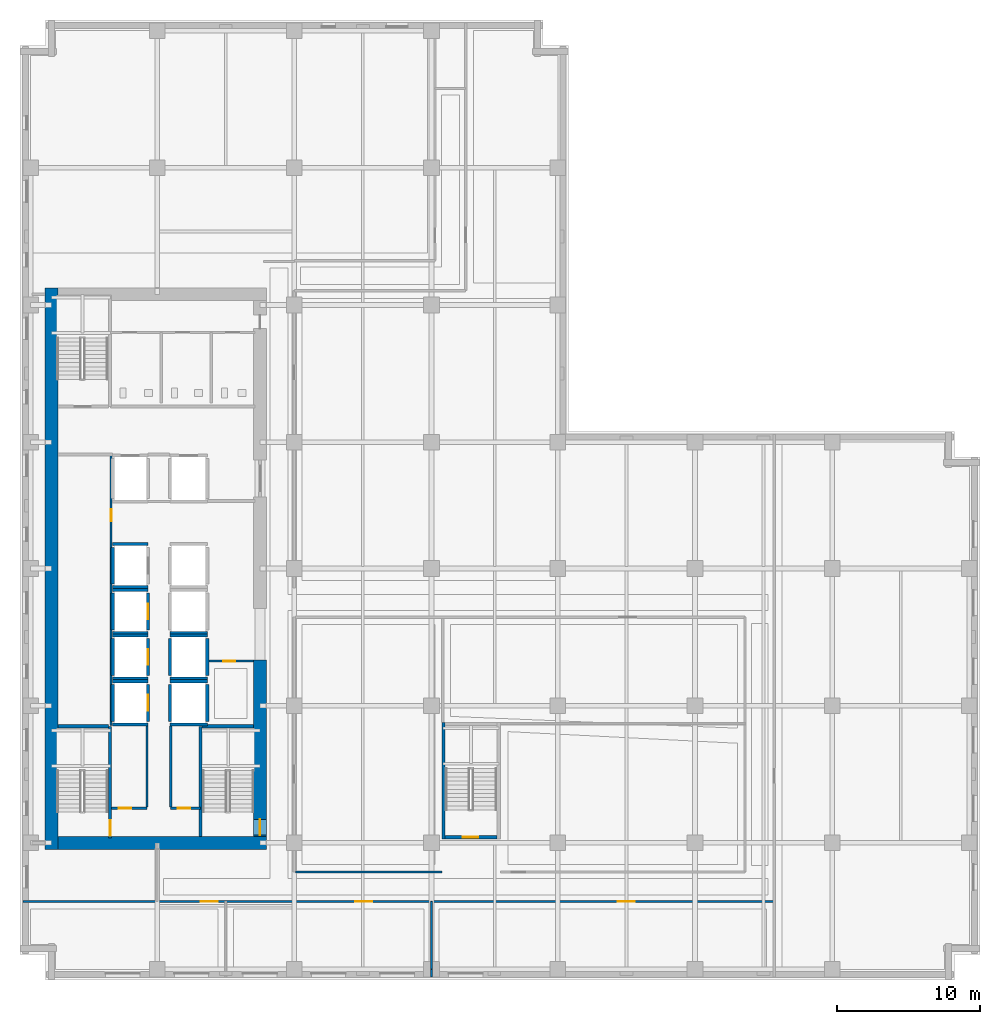
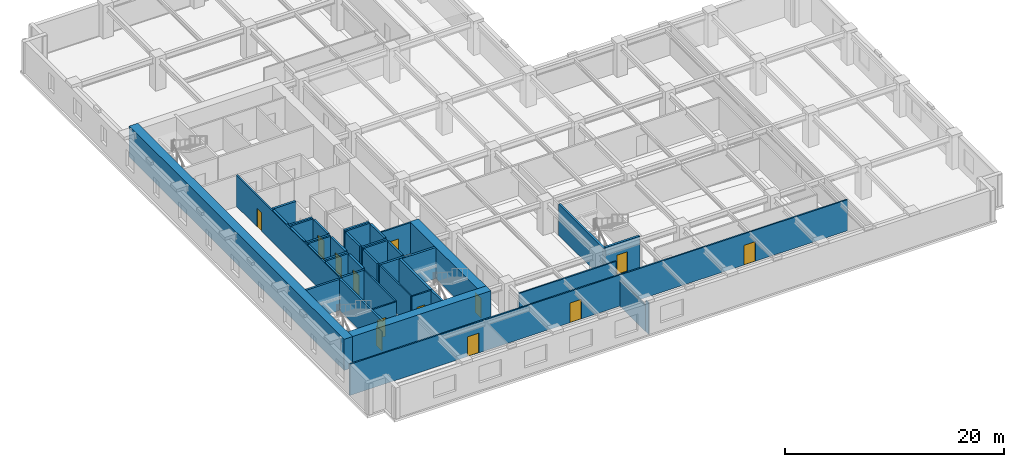
# One storey, part 4 of 15: 43 walls, 13 doors, 13 openings.
"""IFC4 building model written with IfcOpenShell, lengths in metres."""

from ifc_helpers import new_model, si_unit, direction, frame, frame_2d, origin, place, context, subcontext, project, spatial, rectangle, extrude, material, layer, layer_set, type_object, element, fill, save


model = new_model("IFC4")

# Units and contexts
model_context = context("Model", 3, precision=1e-05, world=origin(), true_north=direction((0.0, 1.0)))
body_context = subcontext(model_context, "Body", "Model", "MODEL_VIEW")
ifc_project = project(units=[si_unit("LENGTHUNIT", "METRE"), si_unit("AREAUNIT", "SQUARE_METRE"), si_unit("VOLUMEUNIT", "CUBIC_METRE"), si_unit("PLANEANGLEUNIT", "RADIAN"), si_unit("MASSUNIT", "GRAM", prefix="KILO")], contexts=[model_context])

# Site, building, storey
site_placement = place(None, origin())
site = spatial("IfcSite", under=ifc_project, at=site_placement, CompositionType="ELEMENT")
building_placement = place(site_placement, origin())
building = spatial("IfcBuilding", under=site, at=building_placement, Name="Norrvale University Quadrangle", CompositionType="ELEMENT")
storey_placement = place(building_placement, frame((0.0, 0.0, 92.60009765625)))
storey = spatial("IfcBuildingStorey", under=building, at=storey_placement, Name="L23", CompositionType="ELEMENT", Elevation=92.60009765625)

# Walls
ifc_material_1 = material(Name="Concrete C80/95", Category="concrete")
ifc_layer_1 = layer(ifc_material_1, 0.89990234375, Name="Concrete C80/95")
ifc_layer_set_1 = layer_set([ifc_layer_1], Name="Concrete C80/95")
wall_type_1 = type_object("IfcWallType", Name="Wall Core 900", PredefinedType="SHEAR", material=ifc_layer_set_1)
wall_1_placement = place(storey_placement, frame((2.64990234375, 9.60009765625, 0.0), z_axis=(0.0, 0.0, 1.0), x_axis=(1.0, 0.0, 0.0)))
element("IfcWall", 1, at=wall_1_placement, inside=storey, type_object=wall_type_1, Name="Tower Core Shear Wall L23-S", PredefinedType="SHEAR", context=body_context, shape_type="SweptSolid", body=[
    extrude(rectangle(XDim=14.60009765625, YDim=0.89990234375, at=frame_2d((7.300048828125, 0.0))), origin(), (0.0, 0.0, 1.0), 3.47998046875),
])
wall_2_placement = place(storey_placement, frame((2.199951171875, 9.14990234375, 0.0), z_axis=(0.0, 0.0, 1.0), x_axis=(0.0, 1.0, 0.0)))
element("IfcWall", 2, at=wall_2_placement, inside=storey, type_object=wall_type_1, Name="Tower Core Shear Wall L23-W", PredefinedType="SHEAR", context=body_context, shape_type="SweptSolid", body=[
    extrude(rectangle(XDim=39.300048828125, YDim=0.89990234375, at=frame_2d((19.64990234375, 0.0))), origin(), (0.0, 0.0, 1.0), 3.47998046875),
])

# Wall, opening, door
wall_3_placement = place(storey_placement, frame((16.800048828125, 10.050048828125, 0.0), z_axis=(0.0, 0.0, 1.0), x_axis=(0.0, 1.0, 0.0)))
wall_3 = element("IfcWall", 3, at=wall_3_placement, inside=storey, type_object=wall_type_1, Name="Tower Core Shear Wall L23-E1", PredefinedType="SHEAR", context=body_context, shape_type="SweptSolid", body=[
    extrude(rectangle(XDim=12.349853515625, YDim=0.89990234375, at=frame_2d((6.1748046875, 0.0))), origin(), (0.0, 0.0, 1.0), 3.47998046875),
])
opening_1_placement = place(wall_3_placement, frame((0.090087890625, 0.0, 0.0)))
opening_1 = element("IfcOpeningElement", 4, at=opening_1_placement, cuts=wall_3, Name="Opening D02", PredefinedType="OPENING", context=body_context, shape_type="SweptSolid", body=[
    extrude(rectangle(XDim=1.10009765625, YDim=2.199951171875, at=frame_2d((0.550048828125, 1.10009765625))), frame((0.0, 0.4619140625, 0.0), z_axis=(0.0, -1.0, 0.0), x_axis=(1.0, 0.0, 0.0)), (0.0, 0.0, 1.0), 0.923828125),
])
ifc_material_2 = material(Name="Hollow Steel 350W Fire Door", Category="steel")
door_type_1 = type_object("IfcDoorType", Name="Door Stair Exit 1100x2200", OperationType="NOTDEFINED", PredefinedType="DOOR", material=ifc_material_2)
door_1_placement = place(opening_1_placement, origin())
door_1 = element("IfcDoor", 5, at=door_1_placement, inside=storey, type_object=door_type_1, Name="Door Stair Exit 1100x2200 DR-L23-ST03", OperationType="SINGLE_SWING_LEFT", OverallHeight=2.199951171875, OverallWidth=1.10009765625, PredefinedType="DOOR", context=body_context, shape_type="SweptSolid", body=[
    extrude(rectangle(XDim=1.10009765625, YDim=2.199951171875, at=frame_2d((0.550048828125, 1.10009765625))), frame((0.0, 0.02490234375, 0.0), z_axis=(0.0, -1.0, 0.0), x_axis=(1.0, 0.0, 0.0)), (0.0, 0.0, 1.0), 0.050048828125),
])
fill(opening_1, door_1)

# Walls
ifc_material_3 = material(Name="Standard Academic Gypsum Partition")
ifc_layer_2 = layer(ifc_material_3, 0.125, Name="Standard Academic Gypsum Partition")
ifc_layer_set_2 = layer_set([ifc_layer_2], Name="Standard Academic Gypsum Partition")
wall_type_2 = type_object("IfcWallType", Name="Wall Gypsum Academic 125", PredefinedType="PARTITIONING", material=ifc_layer_set_2)
wall_4_placement = place(storey_placement, frame((28.800048828125, 0.219970703125, 0.0), z_axis=(0.0, 0.0, 1.0), x_axis=(0.0, 1.0, 0.0)))
element("IfcWall", 6, at=wall_4_placement, inside=storey, type_object=wall_type_2, Name="Interior Partition WL-L23-SP02", PredefinedType="PARTITIONING", context=body_context, shape_type="SweptSolid", body=[
    extrude(rectangle(XDim=0.530029296875, YDim=0.125, at=frame_2d((0.26513671875, 0.0))), origin(), (0.0, 0.0, 1.0), 3.47998046875),
])
wall_5_placement = place(storey_placement, frame((28.800048828125, 0.75, 0.0), z_axis=(0.0, 0.0, 1.0), x_axis=(0.0, 1.0, 0.0)))
element("IfcWall", 7, at=wall_5_placement, inside=storey, type_object=wall_type_2, Name="Interior Partition WL-L23-SP02-B2", PredefinedType="PARTITIONING", context=body_context, shape_type="SweptSolid", body=[
    extrude(rectangle(XDim=4.75, YDim=0.125, at=frame_2d((2.375, 0.0))), origin(), (0.0, 0.0, 1.0), 2.864013671875),
])

# Wall, opening, door
ifc_material_4 = material(Name="Fire-Rated Gypsum Stud Partition")
ifc_layer_3 = layer(ifc_material_4, 0.14990234375, Name="Fire-Rated Gypsum Stud Partition")
ifc_layer_set_3 = layer_set([ifc_layer_3], Name="Fire-Rated Gypsum Stud Partition")
wall_type_3 = type_object("IfcWallType", Name="Wall Gypsum Corridor 150", PredefinedType="PARTITIONING", material=ifc_layer_set_3)
wall_6_placement = place(storey_placement, frame((6.419921875, 12.02001953125, 0.0), z_axis=(0.0, 0.0, 1.0), x_axis=(1.0, 0.0, 0.0)))
wall_6 = element("IfcWall", 8, at=wall_6_placement, inside=storey, type_object=wall_type_3, Name="Interior Partition WL-L23-SC-NL", PredefinedType="PARTITIONING", context=body_context, shape_type="SweptSolid", body=[
    extrude(rectangle(XDim=2.47998046875, YDim=0.14990234375, at=frame_2d((1.239990234375, 0.0))), origin(), (0.0, 0.0, 1.0), 3.47998046875),
])
opening_2_placement = place(wall_6_placement, frame((0.5, 0.0, 0.0)))
opening_2 = element("IfcOpeningElement", 9, at=opening_2_placement, cuts=wall_6, Name="Opening D10", PredefinedType="OPENING", context=body_context, shape_type="SweptSolid", body=[
    extrude(rectangle(XDim=0.85009765625, YDim=2.10009765625, at=frame_2d((0.425048828125, 1.050048828125))), frame((0.0, 0.0869140625, 0.0), z_axis=(0.0, -1.0, 0.0), x_axis=(1.0, 0.0, 0.0)), (0.0, 0.0, 1.0), 0.173828125),
])
ifc_material_5 = material(Name="Hollow Steel 350W Riser Fire Door", Category="steel")
door_type_2 = type_object("IfcDoorType", Name="Door Riser 850x2100", OperationType="NOTDEFINED", PredefinedType="DOOR", material=ifc_material_5)
door_2_placement = place(opening_2_placement, origin())
door_2 = element("IfcDoor", 10, at=door_2_placement, inside=storey, type_object=door_type_2, Name="Door Riser 850x2100 DR-L23-ELEC", OperationType="SINGLE_SWING_LEFT", OverallHeight=2.10009765625, OverallWidth=0.85009765625, PredefinedType="DOOR", context=body_context, shape_type="SweptSolid", body=[
    extrude(rectangle(XDim=0.85009765625, YDim=2.10009765625, at=frame_2d((0.425048828125, 1.050048828125))), frame((0.0, 0.02490234375, 0.0), z_axis=(0.0, -1.0, 0.0), x_axis=(1.0, 0.0, 0.0)), (0.0, 0.0, 1.0), 0.050048828125),
])
fill(opening_2, door_2)

wall_7_placement = place(storey_placement, frame((10.550048828125, 12.02001953125, 0.0), z_axis=(0.0, 0.0, 1.0), x_axis=(1.0, 0.0, 0.0)))
wall_7 = element("IfcWall", 11, at=wall_7_placement, inside=storey, type_object=wall_type_3, Name="Interior Partition WL-L23-SC-NR", PredefinedType="PARTITIONING", context=body_context, shape_type="SweptSolid", body=[
    extrude(rectangle(XDim=2.079833984375, YDim=0.14990234375, at=frame_2d((1.0400390625, 0.0))), origin(), (0.0, 0.0, 1.0), 3.47998046875),
])
opening_3_placement = place(wall_7_placement, frame((0.5, 0.0, 0.0)))
opening_3 = element("IfcOpeningElement", 12, at=opening_3_placement, cuts=wall_7, Name="Opening D10", PredefinedType="OPENING", context=body_context, shape_type="SweptSolid", body=[
    extrude(rectangle(XDim=0.85009765625, YDim=2.10009765625, at=frame_2d((0.425048828125, 1.050048828125))), frame((0.0, 0.0869140625, 0.0), z_axis=(0.0, -1.0, 0.0), x_axis=(1.0, 0.0, 0.0)), (0.0, 0.0, 1.0), 0.173828125),
])
door_3_placement = place(opening_3_placement, origin())
door_3 = element("IfcDoor", 13, at=door_3_placement, inside=storey, type_object=door_type_2, Name="Door Riser 850x2100 DR-L23-IDF", OperationType="SINGLE_SWING_RIGHT", OverallHeight=2.10009765625, OverallWidth=0.85009765625, PredefinedType="DOOR", context=body_context, shape_type="SweptSolid", body=[
    extrude(rectangle(XDim=0.85009765625, YDim=2.10009765625, at=frame_2d((0.425048828125, 1.050048828125))), frame((0.0, 0.02490234375, 0.0), z_axis=(0.0, -1.0, 0.0), x_axis=(1.0, 0.0, 0.0)), (0.0, 0.0, 1.0), 0.050048828125),
])
fill(opening_3, door_3)

# Walls
for number, where, z_axis, x_axis, name in (
    (14, (8.89990234375, 12.094970703125, 0.0), (0.0, 0.0, 1.0), (0.0, 1.0, 0.0), "Interior Partition WL-L23-SC-WL"),
    (15, (10.550048828125, 12.094970703125, 0.0), (0.0, 0.0, 1.0), (0.0, 1.0, 0.0), "Interior Partition WL-L23-SC-WR"),
):
    element("IfcWall", number, at=place(storey_placement, frame(where, z_axis=z_axis, x_axis=x_axis)), inside=storey, type_object=wall_type_3, Name=name, PredefinedType="PARTITIONING", context=body_context, shape_type="SweptSolid", body=[
        extrude(rectangle(XDim=5.679931640625, YDim=0.14990234375, at=frame_2d((2.83984375, 0.0))), origin(), (0.0, 0.0, 1.0), 3.47998046875),
    ])

# Wall, opening, door
wall_8_placement = place(storey_placement, frame((13.22509765625, 22.320068359375, 0.0), z_axis=(0.0, 0.0, 1.0), x_axis=(1.0, 0.0, 0.0)))
wall_8 = element("IfcWall", 16, at=wall_8_placement, inside=storey, type_object=wall_type_3, Name="Interior Partition WL-L23-JAN-N", PredefinedType="PARTITIONING", context=body_context, shape_type="SweptSolid", body=[
    extrude(rectangle(XDim=3.119873046875, YDim=0.14990234375, at=frame_2d((1.56005859375, 0.0))), origin(), (0.0, 0.0, 1.0), 3.47998046875),
])
opening_4_placement = place(wall_8_placement, frame((1.0, 0.0, 0.0)))
opening_4 = element("IfcOpeningElement", 17, at=opening_4_placement, cuts=wall_8, Name="Opening D10", PredefinedType="OPENING", context=body_context, shape_type="SweptSolid", body=[
    extrude(rectangle(XDim=0.85009765625, YDim=2.10009765625, at=frame_2d((0.425048828125, 1.050048828125))), frame((0.0, 0.0869140625, 0.0), z_axis=(0.0, -1.0, 0.0), x_axis=(1.0, 0.0, 0.0)), (0.0, 0.0, 1.0), 0.173828125),
])
door_4_placement = place(opening_4_placement, origin())
door_4 = element("IfcDoor", 18, at=door_4_placement, inside=storey, type_object=door_type_2, Name="Door Riser 850x2100 DR-L23-JAN", OperationType="SINGLE_SWING_LEFT", OverallHeight=2.10009765625, OverallWidth=0.85009765625, PredefinedType="DOOR", context=body_context, shape_type="SweptSolid", body=[
    extrude(rectangle(XDim=0.85009765625, YDim=2.10009765625, at=frame_2d((0.425048828125, 1.050048828125))), frame((0.0, 0.02490234375, 0.0), z_axis=(0.0, -1.0, 0.0), x_axis=(1.0, 0.0, 0.0)), (0.0, 0.0, 1.0), 0.050048828125),
])
fill(opening_4, door_4)

wall_9_placement = place(storey_placement, frame((6.3798828125, 17.800048828125, 0.0), z_axis=(0.0, 0.0, 1.0), x_axis=(0.0, 1.0, 0.0)))
wall_9 = element("IfcWall", 19, at=wall_9_placement, inside=storey, type_object=wall_type_3, Name="Interior Partition WL-L23-WME-E", PredefinedType="PARTITIONING", context=body_context, shape_type="SweptSolid", body=[
    extrude(rectangle(XDim=18.97998046875, YDim=0.14990234375, at=frame_2d((9.489990234375, 0.0))), origin(), (0.0, 0.0, 1.0), 3.47998046875),
])
opening_5_placement = place(wall_9_placement, frame((14.300048828125, 0.0, 0.0)))
opening_5 = element("IfcOpeningElement", 20, at=opening_5_placement, cuts=wall_9, Name="Opening D10", PredefinedType="OPENING", context=body_context, shape_type="SweptSolid", body=[
    extrude(rectangle(XDim=0.85009765625, YDim=2.10009765625, at=frame_2d((0.425048828125, 1.050048828125))), frame((0.0, 0.0869140625, 0.0), z_axis=(0.0, -1.0, 0.0), x_axis=(1.0, 0.0, 0.0)), (0.0, 0.0, 1.0), 0.173828125),
])
door_5_placement = place(opening_5_placement, origin())
door_5 = element("IfcDoor", 21, at=door_5_placement, inside=storey, type_object=door_type_2, Name="Door Riser 850x2100 DR-L23-WME", OperationType="SINGLE_SWING_LEFT", OverallHeight=2.10009765625, OverallWidth=0.85009765625, PredefinedType="DOOR", context=body_context, shape_type="SweptSolid", body=[
    extrude(rectangle(XDim=0.85009765625, YDim=2.10009765625, at=frame_2d((0.425048828125, 1.050048828125))), frame((0.0, 0.02490234375, 0.0), z_axis=(0.0, -1.0, 0.0), x_axis=(1.0, 0.0, 0.0)), (0.0, 0.0, 1.0), 0.050048828125),
])
fill(opening_5, door_5)

# Wall, openings, doors
wall_10_placement = place(storey_placement, frame((0.219970703125, 5.5, 0.0), z_axis=(0.0, 0.0, 1.0), x_axis=(1.0, 0.0, 0.0)))
wall_10 = element("IfcWall", 22, at=wall_10_placement, inside=storey, type_object=wall_type_3, Name="Interior Partition WL-L23-SCW", PredefinedType="PARTITIONING", context=body_context, shape_type="SweptSolid", body=[
    extrude(rectangle(XDim=52.580078125, YDim=0.14990234375, at=frame_2d((26.2900390625, 0.0))), origin(), (0.0, 0.0, 1.0), 3.47998046875),
])
opening_6_placement = place(wall_10_placement, frame((12.429931640625, 0.0, 0.0)))
opening_6 = element("IfcOpeningElement", 23, at=opening_6_placement, cuts=wall_10, Name="Opening D05", PredefinedType="OPENING", context=body_context, shape_type="SweptSolid", body=[
    extrude(rectangle(XDim=1.199951171875, YDim=2.199951171875, at=frame_2d((0.60009765625, 1.10009765625))), frame((0.0, 0.0869140625, 0.0), z_axis=(0.0, -1.0, 0.0), x_axis=(1.0, 0.0, 0.0)), (0.0, 0.0, 1.0), 0.173828125),
])
opening_7_placement = place(wall_10_placement, frame((23.22998046875, 0.0, 0.0)))
opening_7 = element("IfcOpeningElement", 24, at=opening_7_placement, cuts=wall_10, Name="Opening D05", PredefinedType="OPENING", context=body_context, shape_type="SweptSolid", body=[
    extrude(rectangle(XDim=1.199951171875, YDim=2.199951171875, at=frame_2d((0.60009765625, 1.10009765625))), frame((0.0, 0.0869140625, 0.0), z_axis=(0.0, -1.0, 0.0), x_axis=(1.0, 0.0, 0.0)), (0.0, 0.0, 1.0), 0.173828125),
])
opening_8_placement = place(wall_10_placement, frame((41.6298828125, 0.0, 0.0)))
opening_8 = element("IfcOpeningElement", 25, at=opening_8_placement, cuts=wall_10, Name="Opening D05", PredefinedType="OPENING", context=body_context, shape_type="SweptSolid", body=[
    extrude(rectangle(XDim=1.199951171875, YDim=2.199951171875, at=frame_2d((0.60009765625, 1.10009765625))), frame((0.0, 0.0869140625, 0.0), z_axis=(0.0, -1.0, 0.0), x_axis=(1.0, 0.0, 0.0)), (0.0, 0.0, 1.0), 0.173828125),
])
ifc_material_6 = material(Name="Acoustic Oak Classroom Door", Category="wood")
door_type_3 = type_object("IfcDoorType", Name="Door Classroom 1200x2200", OperationType="NOTDEFINED", PredefinedType="DOOR", material=ifc_material_6)
door_6_placement = place(opening_6_placement, origin())
door_6 = element("IfcDoor", 26, at=door_6_placement, inside=storey, type_object=door_type_3, Name="Door Classroom 1200x2200 DR-L23-S01", OperationType="SINGLE_SWING_LEFT", OverallHeight=2.199951171875, OverallWidth=1.199951171875, PredefinedType="DOOR", context=body_context, shape_type="SweptSolid", body=[
    extrude(rectangle(XDim=1.199951171875, YDim=2.199951171875, at=frame_2d((0.60009765625, 1.10009765625))), frame((0.0, 0.02490234375, 0.0), z_axis=(0.0, -1.0, 0.0), x_axis=(1.0, 0.0, 0.0)), (0.0, 0.0, 1.0), 0.050048828125),
])
fill(opening_6, door_6)
door_7_placement = place(opening_7_placement, origin())
door_7 = element("IfcDoor", 27, at=door_7_placement, inside=storey, type_object=door_type_3, Name="Door Classroom 1200x2200 DR-L23-S02", OperationType="SINGLE_SWING_RIGHT", OverallHeight=2.199951171875, OverallWidth=1.199951171875, PredefinedType="DOOR", context=body_context, shape_type="SweptSolid", body=[
    extrude(rectangle(XDim=1.199951171875, YDim=2.199951171875, at=frame_2d((0.60009765625, 1.10009765625))), frame((0.0, 0.02490234375, 0.0), z_axis=(0.0, -1.0, 0.0), x_axis=(1.0, 0.0, 0.0)), (0.0, 0.0, 1.0), 0.050048828125),
])
fill(opening_7, door_7)
door_8_placement = place(opening_8_placement, origin())
door_8 = element("IfcDoor", 28, at=door_8_placement, inside=storey, type_object=door_type_3, Name="Door Classroom 1200x2200 DR-L23-S03", OperationType="SINGLE_SWING_LEFT", OverallHeight=2.199951171875, OverallWidth=1.199951171875, PredefinedType="DOOR", context=body_context, shape_type="SweptSolid", body=[
    extrude(rectangle(XDim=1.199951171875, YDim=2.199951171875, at=frame_2d((0.60009765625, 1.10009765625))), frame((0.0, 0.02490234375, 0.0), z_axis=(0.0, -1.0, 0.0), x_axis=(1.0, 0.0, 0.0)), (0.0, 0.0, 1.0), 0.050048828125),
])
fill(opening_8, door_8)

# Wall
wall_11_placement = place(storey_placement, frame((19.280029296875, 7.550048828125, 0.0), z_axis=(0.0, 0.0, 1.0), x_axis=(1.0, 0.0, 0.0)))
element("IfcWall", 29, at=wall_11_placement, inside=storey, type_object=wall_type_3, Name="Interior Partition WL-L23-ISLS1", PredefinedType="PARTITIONING", context=body_context, shape_type="SweptSolid", body=[
    extrude(rectangle(XDim=10.244873046875, YDim=0.14990234375, at=frame_2d((5.12255859375, 0.0))), origin(), (0.0, 0.0, 1.0), 3.47998046875),
])

# Wall, opening, door
ifc_material_7 = material(Name="Concrete Blockwork 20 MPa Fire Shaft", Category="masonry")
ifc_layer_4 = layer(ifc_material_7, 0.219970703125, Name="Concrete Blockwork 20 MPa Fire Shaft")
ifc_layer_set_4 = layer_set([ifc_layer_4], Name="Concrete Blockwork 20 MPa Fire Shaft")
wall_type_4 = type_object("IfcWallType", Name="Wall Shaft 220", PredefinedType="SOLIDWALL", material=ifc_layer_set_4)
wall_12_placement = place(storey_placement, frame((6.31005859375, 9.949951171875, 0.0), z_axis=(0.0, 0.0, 1.0), x_axis=(0.0, 1.0, 0.0)))
wall_12 = element("IfcWall", 30, at=wall_12_placement, inside=storey, type_object=wall_type_4, Name="Stair ST-01 East Shaft Wall L23", PredefinedType="SOLIDWALL", context=body_context, shape_type="SweptSolid", body=[
    extrude(rectangle(XDim=7.81005859375, YDim=0.219970703125, at=frame_2d((3.905029296875, 0.0))), origin(), (0.0, 0.0, 1.0), 3.47998046875),
])
opening_9_placement = place(wall_12_placement, frame((0.139892578125, 0.0, 0.0)))
opening_9 = element("IfcOpeningElement", 31, at=opening_9_placement, cuts=wall_12, Name="Opening D02", PredefinedType="OPENING", context=body_context, shape_type="SweptSolid", body=[
    extrude(rectangle(XDim=1.10009765625, YDim=2.199951171875, at=frame_2d((0.550048828125, 1.10009765625))), frame((0.0, 0.1220703125, 0.0), z_axis=(0.0, -1.0, 0.0), x_axis=(1.0, 0.0, 0.0)), (0.0, 0.0, 1.0), 0.243896484375),
])
door_9_placement = place(opening_9_placement, origin())
door_9 = element("IfcDoor", 32, at=door_9_placement, inside=storey, type_object=door_type_1, Name="Door Stair Exit 1100x2200 DR-L23-ST01", OperationType="SINGLE_SWING_LEFT", OverallHeight=2.199951171875, OverallWidth=1.10009765625, PredefinedType="DOOR", context=body_context, shape_type="SweptSolid", body=[
    extrude(rectangle(XDim=1.10009765625, YDim=2.199951171875, at=frame_2d((0.550048828125, 1.10009765625))), frame((0.0, 0.02490234375, 0.0), z_axis=(0.0, -1.0, 0.0), x_axis=(1.0, 0.0, 0.0)), (0.0, 0.0, 1.0), 0.050048828125),
])
fill(opening_9, door_9)

# Walls
wall_13_placement = place(storey_placement, frame((2.64990234375, 17.760009765625, 0.0), z_axis=(0.0, 0.0, 1.0), x_axis=(1.0, 0.0, 0.0)))
element("IfcWall", 33, at=wall_13_placement, inside=storey, type_object=wall_type_4, Name="Stair ST-01 North Shaft Wall L23", PredefinedType="SOLIDWALL", context=body_context, shape_type="SweptSolid", body=[
    extrude(rectangle(XDim=3.550048828125, YDim=0.219970703125, at=frame_2d((1.77490234375, 0.0))), origin(), (0.0, 0.0, 1.0), 3.47998046875),
])
wall_14_placement = place(storey_placement, frame((12.639892578125, 10.050048828125, 0.0), z_axis=(0.0, 0.0, 1.0), x_axis=(0.0, 1.0, 0.0)))
element("IfcWall", 34, at=wall_14_placement, inside=storey, type_object=wall_type_4, Name="Stair ST-03 West Shaft Wall L23", PredefinedType="SOLIDWALL", context=body_context, shape_type="SweptSolid", body=[
    extrude(rectangle(XDim=7.7099609375, YDim=0.219970703125, at=frame_2d((3.85498046875, 0.0))), origin(), (0.0, 0.0, 1.0), 3.47998046875),
])
wall_15_placement = place(storey_placement, frame((12.75, 17.760009765625, 0.0), z_axis=(0.0, 0.0, 1.0), x_axis=(1.0, 0.0, 0.0)))
element("IfcWall", 35, at=wall_15_placement, inside=storey, type_object=wall_type_4, Name="Stair ST-03 North Shaft Wall L23", PredefinedType="SOLIDWALL", context=body_context, shape_type="SweptSolid", body=[
    extrude(rectangle(XDim=3.60009765625, YDim=0.219970703125, at=frame_2d((1.800048828125, 0.0))), origin(), (0.0, 0.0, 1.0), 3.47998046875),
])

# Wall, opening, door
wall_16_placement = place(storey_placement, frame((29.75, 9.989990234375, 0.0), z_axis=(0.0, 0.0, 1.0), x_axis=(1.0, 0.0, 0.0)))
wall_16 = element("IfcWall", 36, at=wall_16_placement, inside=storey, type_object=wall_type_4, Name="Stair ST-04 South Shaft Wall L23", PredefinedType="SOLIDWALL", context=body_context, shape_type="SweptSolid", body=[
    extrude(rectangle(XDim=3.64990234375, YDim=0.219970703125, at=frame_2d((1.824951171875, 0.0))), origin(), (0.0, 0.0, 1.0), 3.47998046875),
])
opening_10_placement = place(wall_16_placement, frame((1.239990234375, 0.0, 0.0)))
opening_10 = element("IfcOpeningElement", 37, at=opening_10_placement, cuts=wall_16, Name="Opening D02", PredefinedType="OPENING", context=body_context, shape_type="SweptSolid", body=[
    extrude(rectangle(XDim=1.10009765625, YDim=2.199951171875, at=frame_2d((0.550048828125, 1.10009765625))), frame((0.0, 0.1220703125, 0.0), z_axis=(0.0, -1.0, 0.0), x_axis=(1.0, 0.0, 0.0)), (0.0, 0.0, 1.0), 0.243896484375),
])
door_10_placement = place(opening_10_placement, origin())
door_10 = element("IfcDoor", 38, at=door_10_placement, inside=storey, type_object=door_type_1, Name="Door Stair Exit 1100x2200 DR-L23-ST04", OperationType="SINGLE_SWING_LEFT", OverallHeight=2.199951171875, OverallWidth=1.10009765625, PredefinedType="DOOR", context=body_context, shape_type="SweptSolid", body=[
    extrude(rectangle(XDim=1.10009765625, YDim=2.199951171875, at=frame_2d((0.550048828125, 1.10009765625))), frame((0.0, 0.02490234375, 0.0), z_axis=(0.0, -1.0, 0.0), x_axis=(1.0, 0.0, 0.0)), (0.0, 0.0, 1.0), 0.050048828125),
])
fill(opening_10, door_10)

# Walls
wall_17_placement = place(storey_placement, frame((29.639892578125, 9.8798828125, 0.0), z_axis=(0.0, 0.0, 1.0), x_axis=(0.0, 1.0, 0.0)))
element("IfcWall", 39, at=wall_17_placement, inside=storey, type_object=wall_type_4, Name="Stair ST-04 West Shaft Wall L23", PredefinedType="SOLIDWALL", context=body_context, shape_type="SweptSolid", body=[
    extrude(rectangle(XDim=8.14013671875, YDim=0.219970703125, at=frame_2d((4.070068359375, 0.0))), origin(), (0.0, 0.0, 1.0), 3.47998046875),
])
wall_18_placement = place(storey_placement, frame((6.489990234375, 18.110107421875, 0.0), z_axis=(0.0, 0.0, 1.0), x_axis=(0.0, 1.0, 0.0)))
element("IfcWall", 40, at=wall_18_placement, inside=storey, type_object=wall_type_4, Name="Hoistway PL-01 West Wall L23", PredefinedType="SOLIDWALL", context=body_context, shape_type="SweptSolid", body=[
    extrude(rectangle(XDim=2.579833984375, YDim=0.219970703125, at=frame_2d((1.2900390625, 0.0))), origin(), (0.0, 0.0, 1.0), 3.47998046875),
])

# Wall, opening, door
wall_19_placement = place(storey_placement, frame((8.9599609375, 18.110107421875, 0.0), z_axis=(0.0, 0.0, 1.0), x_axis=(0.0, 1.0, 0.0)))
wall_19 = element("IfcWall", 41, at=wall_19_placement, inside=storey, type_object=wall_type_4, Name="Hoistway PL-01 East Wall L23", PredefinedType="SOLIDWALL", context=body_context, shape_type="SweptSolid", body=[
    extrude(rectangle(XDim=2.579833984375, YDim=0.219970703125, at=frame_2d((1.2900390625, 0.0))), origin(), (0.0, 0.0, 1.0), 3.47998046875),
])
opening_11_placement = place(wall_19_placement, frame((0.739990234375, 0.0, 0.0)))
opening_11 = element("IfcOpeningElement", 42, at=opening_11_placement, cuts=wall_19, Name="Opening LD1", PredefinedType="OPENING", context=body_context, shape_type="SweptSolid", body=[
    extrude(rectangle(XDim=1.10009765625, YDim=2.199951171875, at=frame_2d((0.550048828125, 1.10009765625))), frame((0.0, 0.1220703125, 0.0), z_axis=(0.0, -1.0, 0.0), x_axis=(1.0, 0.0, 0.0)), (0.0, 0.0, 1.0), 0.243896484375),
])
ifc_material_8 = material(Name="Stainless Steel 316L Lift Landing Door", Category="steel")
door_type_4 = type_object("IfcDoorType", Name="Door Lift Landing 1100x2200", OperationType="DOUBLE_DOOR_SLIDING", PredefinedType="DOOR", material=ifc_material_8)
door_11_placement = place(opening_11_placement, origin())
door_11 = element("IfcDoor", 43, at=door_11_placement, inside=storey, type_object=door_type_4, Name="Elevator Landing Door DR-L23-PL-01", OperationType="DOUBLE_DOOR_SLIDING", OverallHeight=2.199951171875, OverallWidth=1.10009765625, PredefinedType="DOOR", context=body_context, shape_type="SweptSolid", body=[
    extrude(rectangle(XDim=1.10009765625, YDim=2.199951171875, at=frame_2d((0.550048828125, 1.10009765625))), frame((0.0, 0.02490234375, 0.0), z_axis=(0.0, -1.0, 0.0), x_axis=(1.0, 0.0, 0.0)), (0.0, 0.0, 1.0), 0.050048828125),
])
fill(opening_11, door_11)

# Walls
for number, where, z_axis, x_axis, name in (
    (44, (6.489990234375, 17.889892578125, 0.0), (0.0, 0.0, 1.0), (1.0, 0.0, 0.0), "Hoistway PL-01 South Wall L23"),
    (45, (6.489990234375, 20.909912109375, 0.0), (0.0, 0.0, 1.0), (1.0, 0.0, 0.0), "Hoistway PL-01 North Wall L23"),
):
    element("IfcWall", number, at=place(storey_placement, frame(where, z_axis=z_axis, x_axis=x_axis)), inside=storey, type_object=wall_type_4, Name=name, PredefinedType="SOLIDWALL", context=body_context, shape_type="SweptSolid", body=[
        extrude(rectangle(XDim=2.469970703125, YDim=0.219970703125, at=frame_2d((1.23486328125, 0.0))), origin(), (0.0, 0.0, 1.0), 3.47998046875),
    ])
wall_20_placement = place(storey_placement, frame((6.489990234375, 21.31005859375, 0.0), z_axis=(0.0, 0.0, 1.0), x_axis=(0.0, 1.0, 0.0)))
element("IfcWall", 46, at=wall_20_placement, inside=storey, type_object=wall_type_4, Name="Hoistway PL-02 West Wall L23", PredefinedType="SOLIDWALL", context=body_context, shape_type="SweptSolid", body=[
    extrude(rectangle(XDim=2.579833984375, YDim=0.219970703125, at=frame_2d((1.2900390625, 0.0))), origin(), (0.0, 0.0, 1.0), 3.47998046875),
])

# Wall, opening, door
wall_21_placement = place(storey_placement, frame((8.9599609375, 21.31005859375, 0.0), z_axis=(0.0, 0.0, 1.0), x_axis=(0.0, 1.0, 0.0)))
wall_21 = element("IfcWall", 47, at=wall_21_placement, inside=storey, type_object=wall_type_4, Name="Hoistway PL-02 East Wall L23", PredefinedType="SOLIDWALL", context=body_context, shape_type="SweptSolid", body=[
    extrude(rectangle(XDim=2.579833984375, YDim=0.219970703125, at=frame_2d((1.2900390625, 0.0))), origin(), (0.0, 0.0, 1.0), 3.47998046875),
])
opening_12_placement = place(wall_21_placement, frame((0.739990234375, 0.0, 0.0)))
opening_12 = element("IfcOpeningElement", 48, at=opening_12_placement, cuts=wall_21, Name="Opening LD1", PredefinedType="OPENING", context=body_context, shape_type="SweptSolid", body=[
    extrude(rectangle(XDim=1.10009765625, YDim=2.199951171875, at=frame_2d((0.550048828125, 1.10009765625))), frame((0.0, 0.1220703125, 0.0), z_axis=(0.0, -1.0, 0.0), x_axis=(1.0, 0.0, 0.0)), (0.0, 0.0, 1.0), 0.243896484375),
])
door_12_placement = place(opening_12_placement, origin())
door_12 = element("IfcDoor", 49, at=door_12_placement, inside=storey, type_object=door_type_4, Name="Elevator Landing Door DR-L23-PL-02", OperationType="DOUBLE_DOOR_SLIDING", OverallHeight=2.199951171875, OverallWidth=1.10009765625, PredefinedType="DOOR", context=body_context, shape_type="SweptSolid", body=[
    extrude(rectangle(XDim=1.10009765625, YDim=2.199951171875, at=frame_2d((0.550048828125, 1.10009765625))), frame((0.0, 0.02490234375, 0.0), z_axis=(0.0, -1.0, 0.0), x_axis=(1.0, 0.0, 0.0)), (0.0, 0.0, 1.0), 0.050048828125),
])
fill(opening_12, door_12)

# Walls
for number, where, z_axis, x_axis, name in (
    (50, (6.489990234375, 21.090087890625, 0.0), (0.0, 0.0, 1.0), (1.0, 0.0, 0.0), "Hoistway PL-02 South Wall L23"),
    (51, (6.489990234375, 24.110107421875, 0.0), (0.0, 0.0, 1.0), (1.0, 0.0, 0.0), "Hoistway PL-02 North Wall L23"),
):
    element("IfcWall", number, at=place(storey_placement, frame(where, z_axis=z_axis, x_axis=x_axis)), inside=storey, type_object=wall_type_4, Name=name, PredefinedType="SOLIDWALL", context=body_context, shape_type="SweptSolid", body=[
        extrude(rectangle(XDim=2.469970703125, YDim=0.219970703125, at=frame_2d((1.23486328125, 0.0))), origin(), (0.0, 0.0, 1.0), 3.47998046875),
    ])
wall_22_placement = place(storey_placement, frame((6.489990234375, 24.510009765625, 0.0), z_axis=(0.0, 0.0, 1.0), x_axis=(0.0, 1.0, 0.0)))
element("IfcWall", 52, at=wall_22_placement, inside=storey, type_object=wall_type_4, Name="Hoistway PL-03 West Wall L23", PredefinedType="SOLIDWALL", context=body_context, shape_type="SweptSolid", body=[
    extrude(rectangle(XDim=2.580078125, YDim=0.219970703125, at=frame_2d((1.2900390625, 0.0))), origin(), (0.0, 0.0, 1.0), 3.47998046875),
])

# Wall, opening, door
wall_23_placement = place(storey_placement, frame((8.9599609375, 24.510009765625, 0.0), z_axis=(0.0, 0.0, 1.0), x_axis=(0.0, 1.0, 0.0)))
wall_23 = element("IfcWall", 53, at=wall_23_placement, inside=storey, type_object=wall_type_4, Name="Hoistway PL-03 East Wall L23", PredefinedType="SOLIDWALL", context=body_context, shape_type="SweptSolid", body=[
    extrude(rectangle(XDim=2.580078125, YDim=0.219970703125, at=frame_2d((1.2900390625, 0.0))), origin(), (0.0, 0.0, 1.0), 3.47998046875),
])
opening_13_placement = place(wall_23_placement, frame((0.739990234375, 0.0, 0.0)))
opening_13 = element("IfcOpeningElement", 54, at=opening_13_placement, cuts=wall_23, Name="Opening LD1", PredefinedType="OPENING", context=body_context, shape_type="SweptSolid", body=[
    extrude(rectangle(XDim=1.10009765625, YDim=2.199951171875, at=frame_2d((0.550048828125, 1.10009765625))), frame((0.0, 0.1220703125, 0.0), z_axis=(0.0, -1.0, 0.0), x_axis=(1.0, 0.0, 0.0)), (0.0, 0.0, 1.0), 0.243896484375),
])
door_13_placement = place(opening_13_placement, origin())
door_13 = element("IfcDoor", 55, at=door_13_placement, inside=storey, type_object=door_type_4, Name="Elevator Landing Door DR-L23-PL-03", OperationType="DOUBLE_DOOR_SLIDING", OverallHeight=2.199951171875, OverallWidth=1.10009765625, PredefinedType="DOOR", context=body_context, shape_type="SweptSolid", body=[
    extrude(rectangle(XDim=1.10009765625, YDim=2.199951171875, at=frame_2d((0.550048828125, 1.10009765625))), frame((0.0, 0.02490234375, 0.0), z_axis=(0.0, -1.0, 0.0), x_axis=(1.0, 0.0, 0.0)), (0.0, 0.0, 1.0), 0.050048828125),
])
fill(opening_13, door_13)

# Walls
for number, where, z_axis, x_axis, name in (
    (56, (6.489990234375, 24.2900390625, 0.0), (0.0, 0.0, 1.0), (1.0, 0.0, 0.0), "Hoistway PL-03 South Wall L23"),
    (57, (6.489990234375, 27.31005859375, 0.0), (0.0, 0.0, 1.0), (1.0, 0.0, 0.0), "Hoistway PL-03 North Wall L23"),
):
    element("IfcWall", number, at=place(storey_placement, frame(where, z_axis=z_axis, x_axis=x_axis)), inside=storey, type_object=wall_type_4, Name=name, PredefinedType="SOLIDWALL", context=body_context, shape_type="SweptSolid", body=[
        extrude(rectangle(XDim=2.469970703125, YDim=0.219970703125, at=frame_2d((1.23486328125, 0.0))), origin(), (0.0, 0.0, 1.0), 3.47998046875),
    ])
wall_24_placement = place(storey_placement, frame((6.489990234375, 27.7099609375, 0.0), z_axis=(0.0, 0.0, 1.0), x_axis=(0.0, 1.0, 0.0)))
element("IfcWall", 58, at=wall_24_placement, inside=storey, type_object=wall_type_4, Name="Hoistway PL-04 West Wall L23", PredefinedType="SOLIDWALL", context=body_context, shape_type="SweptSolid", body=[
    extrude(rectangle(XDim=2.580078125, YDim=0.219970703125, at=frame_2d((1.2900390625, 0.0))), origin(), (0.0, 0.0, 1.0), 3.47998046875),
])
for number, where, z_axis, x_axis, name in (
    (59, (6.489990234375, 27.489990234375, 0.0), (0.0, 0.0, 1.0), (1.0, 0.0, 0.0), "Hoistway PL-04 South Wall L23"),
    (60, (6.489990234375, 30.510009765625, 0.0), (0.0, 0.0, 1.0), (1.0, 0.0, 0.0), "Hoistway PL-04 North Wall L23"),
):
    element("IfcWall", number, at=place(storey_placement, frame(where, z_axis=z_axis, x_axis=x_axis)), inside=storey, type_object=wall_type_4, Name=name, PredefinedType="SOLIDWALL", context=body_context, shape_type="SweptSolid", body=[
        extrude(rectangle(XDim=2.469970703125, YDim=0.219970703125, at=frame_2d((1.23486328125, 0.0))), origin(), (0.0, 0.0, 1.0), 3.47998046875),
    ])
for number, where, z_axis, x_axis, name in (
    (61, (10.489990234375, 18.110107421875, 0.0), (0.0, 0.0, 1.0), (0.0, 1.0, 0.0), "Hoistway PL-05 West Wall L23"),
    (62, (13.110107421875, 18.110107421875, 0.0), (0.0, 0.0, 1.0), (0.0, 1.0, 0.0), "Hoistway PL-05 East Wall L23"),
):
    element("IfcWall", number, at=place(storey_placement, frame(where, z_axis=z_axis, x_axis=x_axis)), inside=storey, type_object=wall_type_4, Name=name, PredefinedType="SOLIDWALL", context=body_context, shape_type="SweptSolid", body=[
        extrude(rectangle(XDim=2.579833984375, YDim=0.219970703125, at=frame_2d((1.2900390625, 0.0))), origin(), (0.0, 0.0, 1.0), 3.47998046875),
    ])
for number, where, z_axis, x_axis, name in (
    (63, (10.489990234375, 17.889892578125, 0.0), (0.0, 0.0, 1.0), (1.0, 0.0, 0.0), "Hoistway PL-05 South Wall L23"),
    (64, (10.489990234375, 20.909912109375, 0.0), (0.0, 0.0, 1.0), (1.0, 0.0, 0.0), "Hoistway PL-05 North Wall L23"),
):
    element("IfcWall", number, at=place(storey_placement, frame(where, z_axis=z_axis, x_axis=x_axis)), inside=storey, type_object=wall_type_4, Name=name, PredefinedType="SOLIDWALL", context=body_context, shape_type="SweptSolid", body=[
        extrude(rectangle(XDim=2.6201171875, YDim=0.219970703125, at=frame_2d((1.31005859375, 0.0))), origin(), (0.0, 0.0, 1.0), 3.47998046875),
    ])
for number, where, z_axis, x_axis, name in (
    (65, (10.489990234375, 21.31005859375, 0.0), (0.0, 0.0, 1.0), (0.0, 1.0, 0.0), "Hoistway PL-06 West Wall L23"),
    (66, (13.110107421875, 21.31005859375, 0.0), (0.0, 0.0, 1.0), (0.0, 1.0, 0.0), "Hoistway PL-06 East Wall L23"),
):
    element("IfcWall", number, at=place(storey_placement, frame(where, z_axis=z_axis, x_axis=x_axis)), inside=storey, type_object=wall_type_4, Name=name, PredefinedType="SOLIDWALL", context=body_context, shape_type="SweptSolid", body=[
        extrude(rectangle(XDim=2.579833984375, YDim=0.219970703125, at=frame_2d((1.2900390625, 0.0))), origin(), (0.0, 0.0, 1.0), 3.47998046875),
    ])
for number, where, z_axis, x_axis, name in (
    (67, (10.489990234375, 21.090087890625, 0.0), (0.0, 0.0, 1.0), (1.0, 0.0, 0.0), "Hoistway PL-06 South Wall L23"),
    (68, (10.489990234375, 24.110107421875, 0.0), (0.0, 0.0, 1.0), (1.0, 0.0, 0.0), "Hoistway PL-06 North Wall L23"),
    (69, (10.489990234375, 24.2900390625, 0.0), (0.0, 0.0, 1.0), (1.0, 0.0, 0.0), "Hoistway PL-07 South Wall L23"),
):
    element("IfcWall", number, at=place(storey_placement, frame(where, z_axis=z_axis, x_axis=x_axis)), inside=storey, type_object=wall_type_4, Name=name, PredefinedType="SOLIDWALL", context=body_context, shape_type="SweptSolid", body=[
        extrude(rectangle(XDim=2.6201171875, YDim=0.219970703125, at=frame_2d((1.31005859375, 0.0))), origin(), (0.0, 0.0, 1.0), 3.47998046875),
    ])

save(model, "model.ifc")
